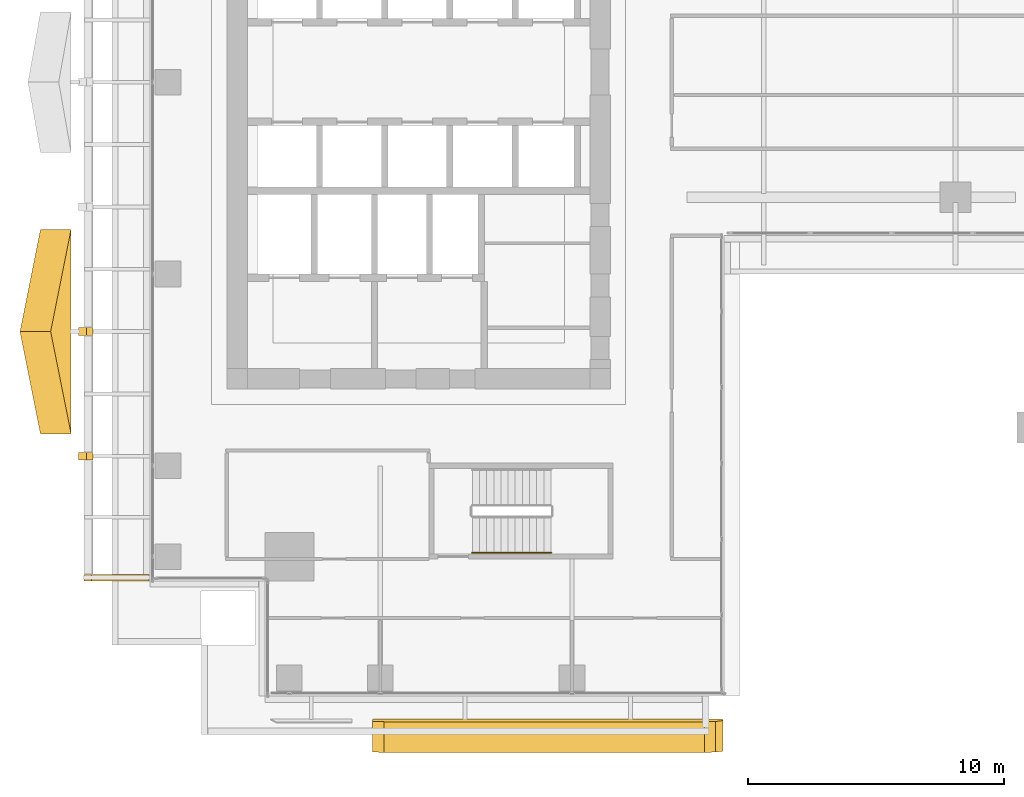
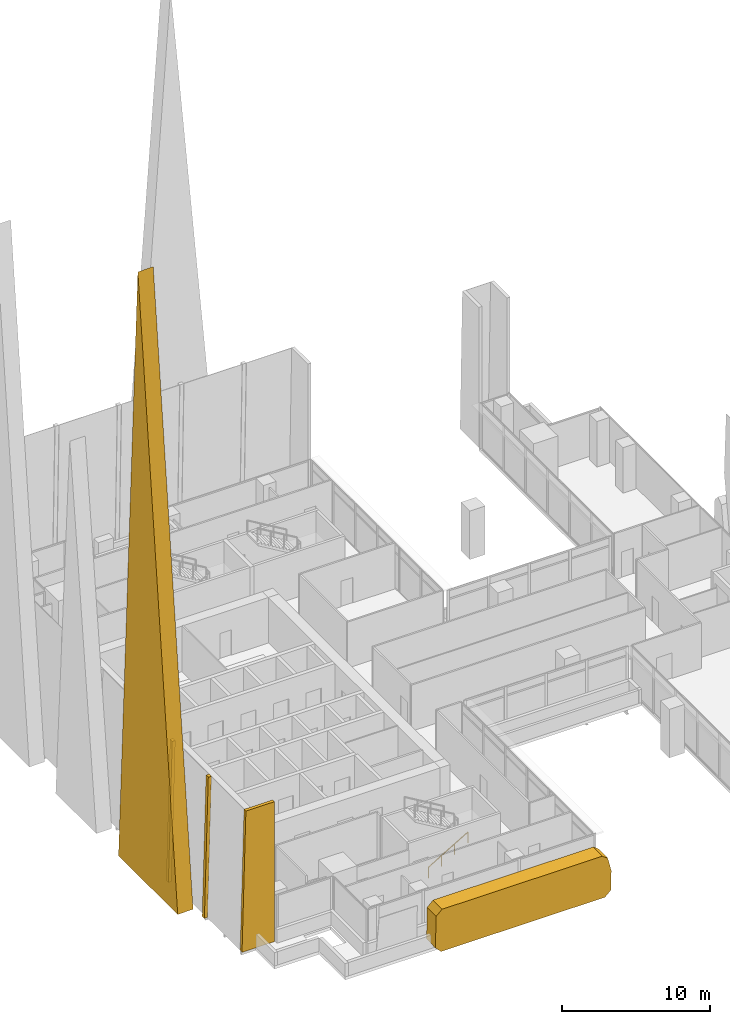
# One storey, part 38 of 43: 5 coverings, 1 railing.
"""IFC4 building model written with IfcOpenShell, lengths in metres."""

from ifc_helpers import new_model, si_unit, direction, frame, origin, origin_2d, place, context, subcontext, project, spatial, polyline, circle, outline, extrude, source, transform, mapped, material, layer, layer_set, type_object, element, save


model = new_model("IFC4")

# Units and contexts
model_context = context("Model", 3, precision=1e-05, world=origin(), true_north=direction((0.0, 1.0)))
body_context = subcontext(model_context, "Body", "Model", "MODEL_VIEW")
ifc_project = project(units=[si_unit("LENGTHUNIT", "METRE"), si_unit("AREAUNIT", "SQUARE_METRE"), si_unit("VOLUMEUNIT", "CUBIC_METRE"), si_unit("PLANEANGLEUNIT", "RADIAN"), si_unit("MASSUNIT", "GRAM", prefix="KILO")], contexts=[model_context])

# Site, building, storey
site_placement = place(None, origin())
site = spatial("IfcSite", under=ifc_project, at=site_placement, CompositionType="ELEMENT")
building_placement = place(site_placement, origin())
building = spatial("IfcBuilding", under=site, at=building_placement, Name="Khomas Fold Tower", CompositionType="ELEMENT")
storey_placement = place(building_placement, frame((0.0, 0.0, 164.699951171875)))
storey = spatial("IfcBuildingStorey", under=building, at=storey_placement, Name="L35", CompositionType="ELEMENT", Elevation=164.699951171875)

# Coverings
ifc_material_1 = material(Name="Natural stone cladding", Category="masonry")
ifc_layer_1 = layer(ifc_material_1, 0.25)
ifc_layer_set_1 = layer_set([ifc_layer_1], Name="Natural stone cladding")
covering_type_1 = type_object("IfcCoveringType", Name="SK-Karibib marble stone mullion", PredefinedType="CLADDING", material=ifc_layer_set_1)
for number, where, z_axis, x_axis, name in (
    (1, (0.205078125, 12.22509765625, 0.006591796875), (-0.999657230839, 0.0, 0.026180543005), (0.0, 1.0, 0.0), "OUTER SKIN mullion L35 W2"),
    (2, (0.205078125, 17.10009765625, 0.006591796875), (-0.999657230839, 0.0, 0.026180543005), (0.0, 1.0, 0.0), "OUTER SKIN mullion L35 W4"),
):
    element("IfcCovering", number, at=place(storey_placement, frame(where, z_axis=z_axis, x_axis=x_axis)), inside=storey, type_object=covering_type_1, Name=name, PredefinedType="CLADDING", context=body_context, shape_type="SweptSolid", body=[
        extrude(outline(polyline([(0.0, 0.0), (0.2998046875, 0.0), (0.2998046875, -11.554009186164079), (0.0, -11.554009186164079), (0.0, 0.0)])), origin(), (0.0, 0.0, -1.0), 0.25),
    ])
covering_1_placement = place(storey_placement, frame((2.949951171875, 7.5, 11.550048828125), z_axis=(0.0, -1.0, 0.0), x_axis=(-1.0, 0.0, 0.0)))
element("IfcCovering", 3, at=covering_1_placement, inside=storey, type_object=covering_type_1, Name="OUTER SKIN return L35 W1", PredefinedType="CLADDING", context=body_context, shape_type="SweptSolid", body=[
    extrude(outline(polyline([(0.0, 0.0), (2.232666015625, 0.0), (2.534912109375, 11.550048828125), (0.0, 11.550048828125), (0.0, 0.0)])), origin(), (0.0, 0.0, -1.0), 0.25),
])
ifc_material_2 = material(Name="Natural stone cladding", Category="masonry")
ifc_layer_2 = layer(ifc_material_2, 1.199951171875)
ifc_layer_set_2 = layer_set([ifc_layer_2], Name="Natural stone cladding")
covering_type_2 = type_object("IfcCoveringType", Name="SK-Karibib marble stone panel", PredefinedType="CLADDING", material=ifc_layer_set_2)
covering_2_placement = place(storey_placement, frame((25.107177734375, 1.999267578125, 3.217041015625), z_axis=(-1.58266e-07, 0.999508686292, 0.031343037946), x_axis=(0.247421907038, 0.030368554294, -0.968431799781)))
element("IfcCovering", 4, at=covering_2_placement, inside=storey, type_object=covering_type_2, Name="OUTER SKIN leaf L35 SS03-1", PredefinedType="CLADDING", context=body_context, shape_type="SweptSolid", body=[
    extrude(outline(polyline([(0.0, 0.0), (1.1830989942367482, 0.0), (2.7547963188562434, 0.4013512264182427), (3.0796455885035647, 0.9486953353976276), (-0.08736690272866365, 13.350762980865426), (-0.634871726414437, 13.675341306820794), (-3.20387868322281, 13.019315444436181), (-3.528727952870131, 12.471971335456796), (-0.4302759754289071, 0.33838767361649486), (0.0, 0.0)])), origin(), (0.0, 0.0, -1.0), 1.199951171875),
])
covering_3_placement = place(storey_placement, frame((-0.088623046875, 13.25, 0.25), z_axis=(0.999876419647, 0.0, 0.015720859831), x_axis=(0.0, 1.0, 0.0)))
element("IfcCovering", 5, at=covering_3_placement, inside=storey, type_object=covering_type_2, Name="OUTER SKIN blade L35 WZ3-1", PredefinedType="CLADDING", context=body_context, shape_type="SweptSolid", body=[
    extrude(outline(polyline([(0.0, 0.0), (8.0, 0.0), (4.0, 50.90643751989196), (0.0, 0.0)])), origin(), (0.0, 0.0, -1.0), 1.199951171875),
])

# Railing
ifc_material_3 = material(Name="Steel handrail", Category="steel")
railing_type = type_object("IfcRailingType", Name="Stair handrail", PredefinedType="HANDRAIL", material=ifc_material_3)
shared_shape = source(origin(), body_context, "Body", "SweptSolid", [
    extrude(circle(Radius=0.02392578125, at=origin_2d()), frame((0.0, 0.0, 0.8759765625), z_axis=(0.859290745958, 0.0, 0.51148745235), x_axis=(0.0, 1.0, 0.0)), (0.0, 0.0, 1.0), 3.584228515625),
    extrude(circle(Radius=0.02099609375, at=origin_2d()), origin(), (0.0, 0.0, 1.0), 0.851806640625),
    extrude(circle(Radius=0.02099609375, at=origin_2d()), frame((1.026611328125, 0.0, 0.611083984375)), (0.0, 0.0, 1.0), 0.851806640625),
    extrude(circle(Radius=0.02099609375, at=origin_2d()), frame((2.05322265625, 0.0, 1.22216796875)), (0.0, 0.0, 1.0), 0.851806640625),
    extrude(circle(Radius=0.02099609375, at=origin_2d()), frame((3.079833984375, 0.0, 1.833251953125)), (0.0, 0.0, 1.0), 0.851806640625),
])
railing_placement = place(storey_placement, frame((15.60009765625, 8.60009765625, 0.166748046875)))
element("IfcRailing", 6, at=railing_placement, inside=storey, type_object=railing_type, Name="L35 ST2 stair handrail 1", PredefinedType="HANDRAIL", context=body_context, shape_type="MappedRepresentation", body=[
    mapped(shared_shape, transform((0.0, 0.0, 0.0))),
])

save(model, "model.ifc")
